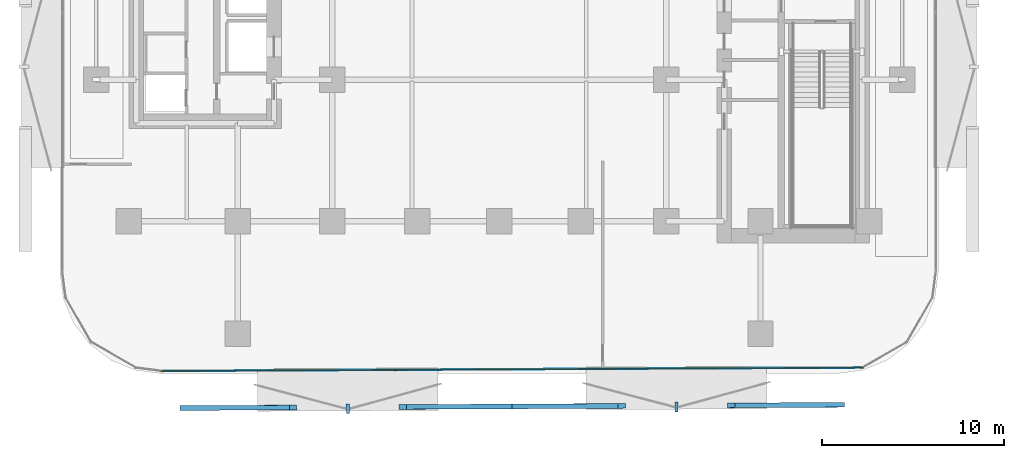
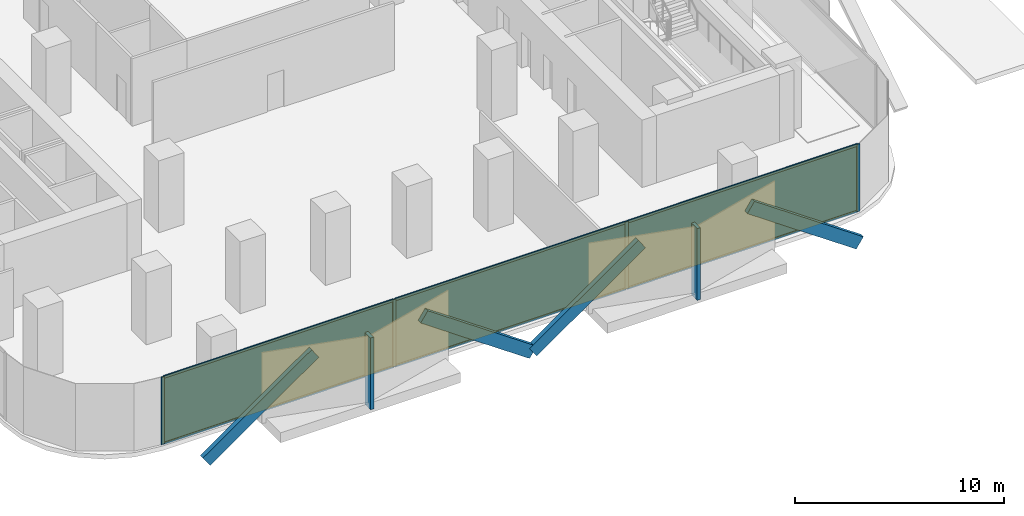
# One storey, part 8 of 16: 16 members, 3 plates, 1 curtain wall.
"""IFC4 building model written with IfcOpenShell, lengths in metres."""

from ifc_helpers import new_model, si_unit, direction, frame, frame_2d, origin, origin_2d, place, context, subcontext, project, spatial, rectangle, extrude, material, layer, layer_set, material_profile, profile_set, type_object, element, aggregate, save


model = new_model("IFC4")

# Units and contexts
model_context = context("Model", 3, precision=1e-05, world=origin(), true_north=direction((0.0, 1.0)))
body_context = subcontext(model_context, "Body", "Model", "MODEL_VIEW")
ifc_project = project(units=[si_unit("LENGTHUNIT", "METRE"), si_unit("AREAUNIT", "SQUARE_METRE"), si_unit("VOLUMEUNIT", "CUBIC_METRE"), si_unit("PLANEANGLEUNIT", "RADIAN"), si_unit("MASSUNIT", "GRAM", prefix="KILO")], contexts=[model_context])

# Member
ifc_material_1 = material(Name="Anodised Bronze Aluminium 6063-T6", Category="aluminium")
ifc_material_profile_1 = material_profile(ifc_material_1, rectangle(XDim=0.260009765625, YDim=0.699951171875, at=origin_2d()))
ifc_profile_set_1 = profile_set([ifc_material_profile_1], Name="Anodised Bronze Aluminium 6063-T6")
member_type_1 = type_object("IfcMemberType", Name="Bronze Diamond Solar-Screen Lattice Rib BDL-700", PredefinedType="MULLION", material=ifc_profile_set_1)
site_placement = place(None, origin())
building_placement = place(site_placement, origin())
storey_placement = place(building_placement, frame((0.0, 0.0, 26.0)))
member_1_placement = place(storey_placement, frame((18.82275390625, -28.718505859375, -0.1298828125), z_axis=(-0.820743653079, -0.003984998518, 0.57128274586), x_axis=(-0.00764700594, 0.999962717129, -0.004010941449)))
member_1 = element("IfcMember", 1, at=member_1_placement, type_object=member_type_1, Name="L06 Bronze Diamond Solar Screen Lattice Rib 1A", PredefinedType="MULLION", context=body_context, shape_type="SweptSolid", body=[
    extrude(rectangle(XDim=0.260009765625, YDim=0.699951171875, at=origin_2d()), origin(), (0.0, 0.0, 1.0), 7.351806640625),
])

member_2_placement = place(storey_placement, frame((0.720947265625, -28.806396484375, -0.1298828125), z_axis=(0.820743653079, 0.003984998518, 0.57128274586), x_axis=(0.00764700594, -0.999962717129, -0.004010941449)))
member_2 = element("IfcMember", 2, at=member_2_placement, type_object=member_type_1, Name="L06 Bronze Diamond Solar Screen Lattice Rib 1B", PredefinedType="MULLION", context=body_context, shape_type="SweptSolid", body=[
    extrude(rectangle(XDim=0.260009765625, YDim=0.699951171875, at=origin_2d()), origin(), (0.0, 0.0, 1.0), 7.351806640625),
])

member_3_placement = place(storey_placement, frame((0.720947265625, -28.806396484375, -0.1298828125), z_axis=(-0.820743653079, -0.003984998518, 0.57128274586), x_axis=(-0.00764700594, 0.999962717129, -0.004010941449)))
member_3 = element("IfcMember", 3, at=member_3_placement, type_object=member_type_1, Name="L06 Bronze Diamond Solar Screen Lattice Rib 2A", PredefinedType="MULLION", context=body_context, shape_type="SweptSolid", body=[
    extrude(rectangle(XDim=0.260009765625, YDim=0.699951171875, at=origin_2d()), origin(), (0.0, 0.0, 1.0), 7.351806640625),
])

member_4_placement = place(storey_placement, frame((-17.380859375, -28.894287109375, -0.1298828125), z_axis=(0.820743653079, 0.003984998518, 0.57128274586), x_axis=(0.00764700594, -0.999962717129, -0.004010941449)))
member_4 = element("IfcMember", 4, at=member_4_placement, type_object=member_type_1, Name="L06 Bronze Diamond Solar Screen Lattice Rib 2B", PredefinedType="MULLION", context=body_context, shape_type="SweptSolid", body=[
    extrude(rectangle(XDim=0.260009765625, YDim=0.699951171875, at=origin_2d()), origin(), (0.0, 0.0, 1.0), 7.351806640625),
])

ifc_material_2 = material(Name="Anodised Bronze Aluminium 6063-T6", Category="aluminium")
ifc_material_profile_2 = material_profile(ifc_material_2, rectangle(XDim=0.179931640625, YDim=0.5400390625, at=origin_2d()))
ifc_profile_set_2 = profile_set([ifc_material_profile_2], Name="Anodised Bronze Aluminium 6063-T6")
member_type_2 = type_object("IfcMemberType", Name="Bronze Solar-Screen Vertical Fold Fin BSF-540", PredefinedType="MULLION", material=ifc_profile_set_2)
member_5_placement = place(storey_placement, frame((9.772216796875, -28.842529296875, -0.1298828125), z_axis=(0.0, 0.0, 1.0), x_axis=(-0.999988059021, -0.004886902454, 0.0)))
member_5 = element("IfcMember", 5, at=member_5_placement, type_object=member_type_2, Name="L06 Bronze Solar Screen Vertical Fin 1", PredefinedType="MULLION", context=body_context, shape_type="SweptSolid", body=[
    extrude(rectangle(XDim=0.179931640625, YDim=0.5400390625, at=origin_2d()), origin(), (0.0, 0.0, 1.0), 4.199951171875),
])

member_6_placement = place(storey_placement, frame((-8.32958984375, -28.930419921875, -0.1298828125), z_axis=(0.0, 0.0, 1.0), x_axis=(-0.999988059021, -0.004886902454, 0.0)))
member_6 = element("IfcMember", 6, at=member_6_placement, type_object=member_type_2, Name="L06 Bronze Solar Screen Vertical Fin 2", PredefinedType="MULLION", context=body_context, shape_type="SweptSolid", body=[
    extrude(rectangle(XDim=0.179931640625, YDim=0.5400390625, at=origin_2d()), origin(), (0.0, 0.0, 1.0), 4.199951171875),
])

ifc_material_3 = material(Name="Anodised Bronze Aluminium 6063-T6", Category="aluminium")
ifc_material_profile_3 = material_profile(ifc_material_3, rectangle(XDim=0.06494140625, YDim=0.179931640625, at=origin_2d()))
ifc_profile_set_3 = profile_set([ifc_material_profile_3], Name="Anodised Bronze Aluminium 6063-T6")
member_type_3 = type_object("IfcMemberType", Name="CW-Z1 Mullion 65x180", PredefinedType="MULLION", material=ifc_profile_set_3)
member_7_placement = place(storey_placement, frame((19.98046875, -26.6728515625, 0.0), z_axis=(0.0, 0.0, 1.0), x_axis=(0.004849219095, -0.999988242468, 0.0)))
member_7 = element("IfcMember", 7, at=member_7_placement, type_object=member_type_3, Name="CW-Z1 mullion 1", PredefinedType="MULLION", context=body_context, shape_type="SweptSolid", body=[
    extrude(rectangle(XDim=0.06494140625, YDim=0.179931640625, at=origin_2d()), origin(), (0.0, 0.0, 1.0), 3.93994140625),
])

member_8_placement = place(storey_placement, frame((7.14501953125, -26.735107421875, 0.0), z_axis=(0.0, 0.0, 1.0), x_axis=(0.004849219095, -0.999988242468, 0.0)))
member_8 = element("IfcMember", 8, at=member_8_placement, type_object=member_type_3, Name="CW-Z1 mullion 2", PredefinedType="MULLION", context=body_context, shape_type="SweptSolid", body=[
    extrude(rectangle(XDim=0.06494140625, YDim=0.179931640625, at=origin_2d()), origin(), (0.0, 0.0, 1.0), 3.93994140625),
])

member_9_placement = place(storey_placement, frame((-5.722900390625, -26.797607421875, 0.0), z_axis=(0.0, 0.0, 1.0), x_axis=(0.004849219095, -0.999988242468, 0.0)))
member_9 = element("IfcMember", 9, at=member_9_placement, type_object=member_type_3, Name="CW-Z1 mullion 3", PredefinedType="MULLION", context=body_context, shape_type="SweptSolid", body=[
    extrude(rectangle(XDim=0.06494140625, YDim=0.179931640625, at=origin_2d()), origin(), (0.0, 0.0, 1.0), 3.93994140625),
])

member_10_placement = place(storey_placement, frame((-18.558349609375, -26.85986328125, 0.0), z_axis=(0.0, 0.0, 1.0), x_axis=(0.004849219095, -0.999988242468, 0.0)))
member_10 = element("IfcMember", 10, at=member_10_placement, type_object=member_type_3, Name="CW-Z1 mullion 4", PredefinedType="MULLION", context=body_context, shape_type="SweptSolid", body=[
    extrude(rectangle(XDim=0.06494140625, YDim=0.179931640625, at=origin_2d()), origin(), (0.0, 0.0, 1.0), 3.93994140625),
])

ifc_material_4 = material(Name="Anodised Bronze Aluminium 6063-T6", Category="aluminium")
ifc_material_profile_4 = material_profile(ifc_material_4, rectangle(XDim=0.06494140625, YDim=0.139892578125, at=origin_2d()))
ifc_profile_set_4 = profile_set([ifc_material_profile_4], Name="Anodised Bronze Aluminium 6063-T6")
member_type_4 = type_object("IfcMemberType", Name="CW-Z1 Transom 65x140", PredefinedType="USERDEFINED", material=ifc_profile_set_4)
member_11_placement = place(storey_placement, frame((19.947998046875, -26.673095703125, 0.032470703125), z_axis=(-0.99998821055, -0.004855796541, 0.0), x_axis=(0.004855796541, -0.99998821055, 0.0)))
member_11 = element("IfcMember", 11, at=member_11_placement, type_object=member_type_4, Name="CW-Z1 transom 1.1", ObjectType="TRANSOM", PredefinedType="USERDEFINED", context=body_context, shape_type="SweptSolid", body=[
    extrude(rectangle(XDim=0.06494140625, YDim=0.139892578125, at=origin_2d()), origin(), (0.0, 0.0, 1.0), 12.770751953125),
])

member_12_placement = place(storey_placement, frame((19.947998046875, -26.673095703125, 3.907470703125), z_axis=(-0.99998821055, -0.004855796541, 0.0), x_axis=(0.004855796541, -0.99998821055, 0.0)))
member_12 = element("IfcMember", 12, at=member_12_placement, type_object=member_type_4, Name="CW-Z1 transom 1.2", ObjectType="TRANSOM", PredefinedType="USERDEFINED", context=body_context, shape_type="SweptSolid", body=[
    extrude(rectangle(XDim=0.06494140625, YDim=0.139892578125, at=origin_2d()), origin(), (0.0, 0.0, 1.0), 12.770751953125),
])

member_13_placement = place(storey_placement, frame((7.112548828125, -26.7353515625, 0.032470703125), z_axis=(-0.999988270274, -0.004843481639, 0.0), x_axis=(0.004843481639, -0.999988270274, 0.0)))
member_13 = element("IfcMember", 13, at=member_13_placement, type_object=member_type_4, Name="CW-Z1 transom 2.1", ObjectType="TRANSOM", PredefinedType="USERDEFINED", context=body_context, shape_type="SweptSolid", body=[
    extrude(rectangle(XDim=0.06494140625, YDim=0.139892578125, at=origin_2d()), origin(), (0.0, 0.0, 1.0), 12.80322265625),
])

member_14_placement = place(storey_placement, frame((7.112548828125, -26.7353515625, 3.907470703125), z_axis=(-0.999988270274, -0.004843481639, 0.0), x_axis=(0.004843481639, -0.999988270274, 0.0)))
member_14 = element("IfcMember", 14, at=member_14_placement, type_object=member_type_4, Name="CW-Z1 transom 2.2", ObjectType="TRANSOM", PredefinedType="USERDEFINED", context=body_context, shape_type="SweptSolid", body=[
    extrude(rectangle(XDim=0.06494140625, YDim=0.139892578125, at=origin_2d()), origin(), (0.0, 0.0, 1.0), 12.80322265625),
])

member_15_placement = place(storey_placement, frame((-5.75537109375, -26.7978515625, 0.032470703125), z_axis=(-0.999988303196, -0.00483667968, 0.0), x_axis=(0.00483667968, -0.999988303196, 0.0)))
member_15 = element("IfcMember", 15, at=member_15_placement, type_object=member_type_4, Name="CW-Z1 transom 3.1", ObjectType="TRANSOM", PredefinedType="USERDEFINED", context=body_context, shape_type="SweptSolid", body=[
    extrude(rectangle(XDim=0.06494140625, YDim=0.139892578125, at=origin_2d()), origin(), (0.0, 0.0, 1.0), 12.770751953125),
])

member_16_placement = place(storey_placement, frame((-5.75537109375, -26.7978515625, 3.907470703125), z_axis=(-0.999988303196, -0.00483667968, 0.0), x_axis=(0.00483667968, -0.999988303196, 0.0)))
member_16 = element("IfcMember", 16, at=member_16_placement, type_object=member_type_4, Name="CW-Z1 transom 3.2", ObjectType="TRANSOM", PredefinedType="USERDEFINED", context=body_context, shape_type="SweptSolid", body=[
    extrude(rectangle(XDim=0.06494140625, YDim=0.139892578125, at=origin_2d()), origin(), (0.0, 0.0, 1.0), 12.770751953125),
])

# Plate
ifc_material_5 = material(Name="Low-E Solar Control Laminated Glass", Category="glass")
ifc_layer_1 = layer(ifc_material_5, 0.028076171875, Name="Low-E Solar Control Laminated Glass")
ifc_layer_set_1 = layer_set([ifc_layer_1], Name="Low-E Solar Control Laminated Glass")
plate_type = type_object("IfcPlateType", Name="CW-Z1 Low-E Double Glazed Panel 28mm", PredefinedType="CURTAIN_PANEL", material=ifc_layer_set_1)
plate_1_placement = place(storey_placement, frame((13.562744140625, -26.7041015625, 0.06494140625), z_axis=(0.0, 0.0, 1.0), x_axis=(-0.999988242468, -0.004849219095, 0.0)))
plate_1 = element("IfcPlate", 17, at=plate_1_placement, type_object=plate_type, Name="CW-Z1 panel 1.1", PredefinedType="CURTAIN_PANEL", context=body_context, shape_type="SweptSolid", body=[
    extrude(rectangle(XDim=12.7705078125, YDim=0.028076171875, at=origin_2d()), origin(), (0.0, 0.0, 1.0), 3.81005859375),
])

plate_2_placement = place(storey_placement, frame((0.7109375, -26.766357421875, 0.06494140625), z_axis=(0.0, 0.0, 1.0), x_axis=(-0.999988242468, -0.004849219095, 0.0)))
plate_2 = element("IfcPlate", 18, at=plate_2_placement, type_object=plate_type, Name="CW-Z1 panel 2.1", PredefinedType="CURTAIN_PANEL", context=body_context, shape_type="SweptSolid", body=[
    extrude(rectangle(XDim=12.802978515625, YDim=0.028076171875, at=origin_2d()), origin(), (0.0, 0.0, 1.0), 3.81005859375),
])

plate_3_placement = place(storey_placement, frame((-12.140625, -26.82861328125, 0.06494140625), z_axis=(0.0, 0.0, 1.0), x_axis=(-0.999988242468, -0.004849219095, 0.0)))
plate_3 = element("IfcPlate", 19, at=plate_3_placement, type_object=plate_type, Name="CW-Z1 panel 3.1", PredefinedType="CURTAIN_PANEL", context=body_context, shape_type="SweptSolid", body=[
    extrude(rectangle(XDim=12.7705078125, YDim=0.028076171875, at=origin_2d()), origin(), (0.0, 0.0, 1.0), 3.81005859375),
])

# Site, building, storey
site = spatial("IfcSite", under=ifc_project, at=site_placement, CompositionType="ELEMENT")
building = spatial("IfcBuilding", under=site, at=building_placement, Name="Khairoan Windgate Tower", CompositionType="ELEMENT")
storey = spatial("IfcBuildingStorey", under=building, at=storey_placement, Name="L06", CompositionType="ELEMENT", Elevation=26.0)

# Curtain wall
ifc_material_6 = material(Name="Anodised Bronze Aluminium 6063-T6", Category="aluminium")
ifc_layer_2 = layer(ifc_material_6, 0.179931640625, Name="Anodised Bronze Aluminium 6063-T6")
ifc_layer_set_2 = layer_set([ifc_layer_2], Name="Anodised Bronze Aluminium 6063-T6")
curtain_wall_type = type_object("IfcCurtainWallType", Name="Low-Rise Office Unitised Curtain Wall CW-Z1", PredefinedType="NOTDEFINED", material=ifc_layer_set_2)
curtain_wall_placement = place(storey_placement, frame((20.012939453125, -26.6728515625, 0.0), z_axis=(0.0, 0.0, 1.0), x_axis=(-0.999988235487, -0.004850658525, 0.0)))
curtain_wall = element("IfcCurtainWall", 20, at=curtain_wall_placement, inside=storey, type_object=curtain_wall_type, Name="L06 Unitised Curtain Wall 1", PredefinedType="NOTDEFINED", context=body_context, shape_type="SweptSolid", body=[
    extrude(rectangle(XDim=38.604248046875, YDim=0.010009765625, at=frame_2d((19.30224609375, 0.0))), origin(), (0.0, 0.0, 1.0), 3.93994140625),
])

aggregate(curtain_wall, [member_7, member_8, member_9, member_10, member_11, member_12, plate_1, member_13, member_14, plate_2, member_15, member_16, plate_3, member_1, member_2, member_5, member_3, member_4, member_6])

save(model, "model.ifc")
